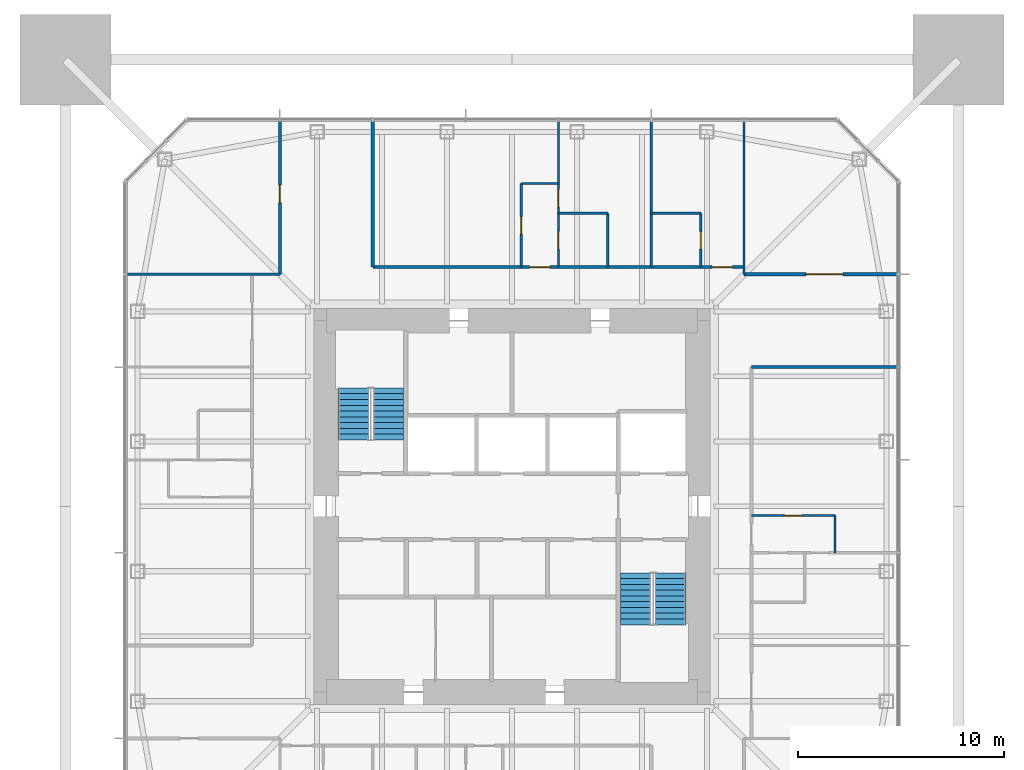
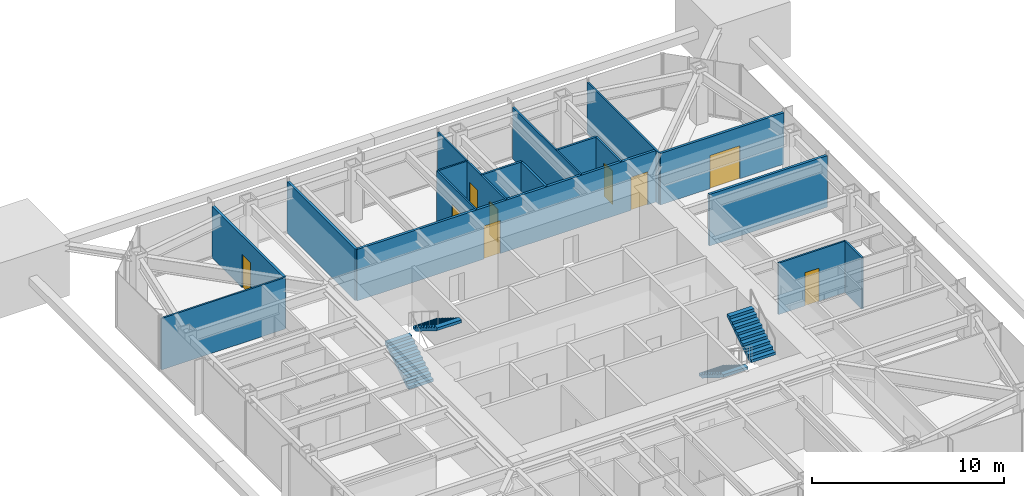
# One storey, part 10 of 13: 17 walls, 9 doors, 4 stair flights, 9 openings, 2 elements without a shape of their own.
"""IFC4 building model written with IfcOpenShell, lengths in metres."""

from ifc_helpers import new_model, si_unit, direction, frame, frame_2d, origin, place, context, subcontext, project, spatial, polyline, rectangle, outline, extrude, material, layer, layer_set, constituent, constituent_set, type_object, element, fill, aggregate, save


model = new_model("IFC4")

# Units and contexts
model_context = context("Model", 3, precision=1e-05, world=origin(), true_north=direction((0.0, 1.0)))
body_context = subcontext(model_context, "Body", "Model", "MODEL_VIEW")
ifc_project = project(units=[si_unit("LENGTHUNIT", "METRE"), si_unit("AREAUNIT", "SQUARE_METRE"), si_unit("VOLUMEUNIT", "CUBIC_METRE"), si_unit("PLANEANGLEUNIT", "RADIAN"), si_unit("MASSUNIT", "GRAM", prefix="KILO")], contexts=[model_context])

# Site, building, storey
site_placement = place(None, origin())
site = spatial("IfcSite", under=ifc_project, at=site_placement, CompositionType="ELEMENT")
building_placement = place(site_placement, origin())
building = spatial("IfcBuilding", under=site, at=building_placement, Name="Iwan Alto Co-Living Towers", CompositionType="ELEMENT")
storey_placement = place(building_placement, frame((0.0, 0.0, 191.5)))
storey = spatial("IfcBuildingStorey", under=building, at=storey_placement, Name="L52", CompositionType="ELEMENT", Elevation=191.5)

# Wall
ifc_material_1 = material(Name="Gypsum board")
ifc_layer_1 = layer(ifc_material_1, 0.02490234375, Name="Board", Category="Finish")
ifc_material_2 = material(Name="Steel ASTM A1003 ST33H cold-formed studs", Category="steel")
ifc_layer_2 = layer(ifc_material_2, 0.10009765625, Name="Studs", Category="Framing")
ifc_layer_3 = layer(ifc_material_1, 0.02490234375, Name="Board", Category="Finish")
ifc_layer_set_1 = layer_set([ifc_layer_1, ifc_layer_2, ifc_layer_3], Name="CORRIDOR WALL 150")
wall_type_1 = type_object("IfcWallType", Name="CORRIDOR WALL 150", PredefinedType="PARTITIONING", material=ifc_layer_set_1)
wall_1_placement = place(storey_placement, frame((11.60009765625, 6.75, 0.0), z_axis=(0.0, 0.0, 1.0), x_axis=(1.0, 0.0, 0.0)))
element("IfcWall", 1, at=wall_1_placement, inside=storey, type_object=wall_type_1, Name="Partition L52", PredefinedType="PARTITIONING", context=body_context, shape_type="SweptSolid", body=[
    extrude(rectangle(XDim=7.08984375, YDim=0.14990234375, at=frame_2d((3.544921875, 0.0))), origin(), (0.0, 0.0, 1.0), 3.27001953125),
])

# Wall, opening, door
wall_2_placement = place(storey_placement, frame((11.25, 11.25, 0.0), z_axis=(0.0, 0.0, 1.0), x_axis=(1.0, 0.0, 0.0)))
wall_2 = element("IfcWall", 2, at=wall_2_placement, inside=storey, type_object=wall_type_1, Name="Partition L52", PredefinedType="PARTITIONING", context=body_context, shape_type="SweptSolid", body=[
    extrude(rectangle(XDim=7.43994140625, YDim=0.14990234375, at=frame_2d((3.719970703125, 0.0))), origin(), (0.0, 0.0, 1.0), 3.27001953125),
])
opening_1_placement = place(wall_2_placement, frame((2.9951171875, 0.0, 0.0)))
opening_1 = element("IfcOpeningElement", 3, at=opening_1_placement, cuts=wall_2, Name="Opening D9", PredefinedType="OPENING", context=body_context, shape_type="SweptSolid", body=[
    extrude(rectangle(XDim=1.800048828125, YDim=2.10009765625, at=frame_2d((0.89990234375, 1.050048828125))), frame((0.0, 0.0849609375, 0.0), z_axis=(0.0, -1.0, 0.0), x_axis=(1.0, 0.0, 0.0)), (0.0, 0.0, 1.0), 0.169921875),
])
ifc_material_3 = material(Name="Steel frame with timber leaf", Category="steel")
door_type_1 = type_object("IfcDoorType", Name="LOUNGE DOOR FD30S 1800X2100", OperationType="DOUBLE_DOOR_SINGLE_SWING", PredefinedType="DOOR", material=ifc_material_3)
door_1_placement = place(opening_1_placement, origin())
door_1 = element("IfcDoor", 4, at=door_1_placement, inside=storey, type_object=door_type_1, Name="Study lounge door L52", OperationType="DOUBLE_DOOR_SINGLE_SWING", OverallHeight=2.10009765625, OverallWidth=1.800048828125, PredefinedType="DOOR", context=body_context, shape_type="SweptSolid", body=[
    extrude(rectangle(XDim=1.800048828125, YDim=2.10009765625, at=frame_2d((0.89990234375, 1.050048828125))), frame((0.0, 0.02490234375, 0.0), z_axis=(0.0, -1.0, 0.0), x_axis=(1.0, 0.0, 0.0)), (0.0, 0.0, 1.0), 0.050048828125),
])
fill(opening_1, door_1)

# Wall, openings, doors
wall_3_placement = place(storey_placement, frame((-6.75, 11.60009765625, 0.0), z_axis=(0.0, 0.0, 1.0), x_axis=(1.0, 0.0, 0.0)))
wall_3 = element("IfcWall", 5, at=wall_3_placement, inside=storey, type_object=wall_type_1, Name="Partition L52", PredefinedType="PARTITIONING", context=body_context, shape_type="SweptSolid", body=[
    extrude(rectangle(XDim=18.0, YDim=0.14990234375, at=frame_2d((9.0, 0.0))), origin(), (0.0, 0.0, 1.0), 3.27001953125),
])
opening_2_placement = place(wall_3_placement, frame((16.449951171875, 0.0, 0.0)))
opening_2 = element("IfcOpeningElement", 6, at=opening_2_placement, cuts=wall_3, Name="Opening D3", PredefinedType="OPENING", context=body_context, shape_type="SweptSolid", body=[
    extrude(rectangle(XDim=1.0, YDim=2.10009765625, at=frame_2d((0.5, 1.050048828125))), frame((0.0, 0.0849609375, 0.0), z_axis=(0.0, -1.0, 0.0), x_axis=(1.0, 0.0, 0.0)), (0.0, 0.0, 1.0), 0.169921875),
])
opening_3_placement = place(wall_3_placement, frame((7.60009765625, 0.0, 0.0)))
opening_3 = element("IfcOpeningElement", 7, at=opening_3_placement, cuts=wall_3, Name="Opening D3", PredefinedType="OPENING", context=body_context, shape_type="SweptSolid", body=[
    extrude(rectangle(XDim=1.0, YDim=2.10009765625, at=frame_2d((0.5, 1.050048828125))), frame((0.0, 0.0849609375, 0.0), z_axis=(0.0, -1.0, 0.0), x_axis=(1.0, 0.0, 0.0)), (0.0, 0.0, 1.0), 0.169921875),
])
ifc_material_4 = material(Name="Steel frame with timber leaf", Category="steel")
door_type_2 = type_object("IfcDoorType", Name="FLAT ENTRANCE DOOR FD30S 1000X2100", OperationType="SINGLE_SWING_LEFT", PredefinedType="DOOR", material=ifc_material_4)
door_2_placement = place(opening_2_placement, origin())
door_2 = element("IfcDoor", 8, at=door_2_placement, inside=storey, type_object=door_type_2, Name="Studio door L52", OperationType="SINGLE_SWING_LEFT", OverallHeight=2.10009765625, OverallWidth=1.0, PredefinedType="DOOR", context=body_context, shape_type="SweptSolid", body=[
    extrude(rectangle(XDim=1.0, YDim=2.10009765625, at=frame_2d((0.5, 1.050048828125))), frame((0.0, 0.02490234375, 0.0), z_axis=(0.0, -1.0, 0.0), x_axis=(1.0, 0.0, 0.0)), (0.0, 0.0, 1.0), 0.050048828125),
])
fill(opening_2, door_2)
door_3_placement = place(opening_3_placement, origin())
door_3 = element("IfcDoor", 9, at=door_3_placement, inside=storey, type_object=door_type_2, Name="Apartment foyer door L52", OperationType="SINGLE_SWING_LEFT", OverallHeight=2.10009765625, OverallWidth=1.0, PredefinedType="DOOR", context=body_context, shape_type="SweptSolid", body=[
    extrude(rectangle(XDim=1.0, YDim=2.10009765625, at=frame_2d((0.5, 1.050048828125))), frame((0.0, 0.02490234375, 0.0), z_axis=(0.0, -1.0, 0.0), x_axis=(1.0, 0.0, 0.0)), (0.0, 0.0, 1.0), 0.050048828125),
])
fill(opening_3, door_3)

# Wall
wall_4_placement = place(storey_placement, frame((-6.75, 11.60009765625, 0.0), z_axis=(0.0, 0.0, 1.0), x_axis=(0.0, 1.0, 0.0)))
element("IfcWall", 10, at=wall_4_placement, inside=storey, type_object=wall_type_1, Name="Partition L52", PredefinedType="PARTITIONING", context=body_context, shape_type="SweptSolid", body=[
    extrude(rectangle(XDim=7.08984375, YDim=0.14990234375, at=frame_2d((3.544921875, 0.0))), origin(), (0.0, 0.0, 1.0), 3.27001953125),
])

# Wall, opening, door
wall_5_placement = place(storey_placement, frame((-11.25, 11.25, 0.0), z_axis=(0.0, 0.0, 1.0), x_axis=(0.0, 1.0, 0.0)))
wall_5 = element("IfcWall", 11, at=wall_5_placement, inside=storey, type_object=wall_type_1, Name="Partition L52", PredefinedType="PARTITIONING", context=body_context, shape_type="SweptSolid", body=[
    extrude(rectangle(XDim=7.43994140625, YDim=0.14990234375, at=frame_2d((3.719970703125, 0.0))), origin(), (0.0, 0.0, 1.0), 3.27001953125),
])
opening_4_placement = place(wall_5_placement, frame((3.469970703125, 0.0, 0.0)))
opening_4 = element("IfcOpeningElement", 12, at=opening_4_placement, cuts=wall_5, Name="Opening D2", PredefinedType="OPENING", context=body_context, shape_type="SweptSolid", body=[
    extrude(rectangle(XDim=0.85009765625, YDim=2.10009765625, at=frame_2d((0.425048828125, 1.050048828125))), frame((0.0, 0.0849609375, 0.0), z_axis=(0.0, -1.0, 0.0), x_axis=(1.0, 0.0, 0.0)), (0.0, 0.0, 1.0), 0.169921875),
])
ifc_material_5 = material(Name="Timber leaf in steel frame", Category="steel")
door_type_3 = type_object("IfcDoorType", Name="ROOM DOOR 850X2100", OperationType="SINGLE_SWING_LEFT", PredefinedType="DOOR", material=ifc_material_5)
door_4_placement = place(opening_4_placement, origin())
door_4 = element("IfcDoor", 13, at=door_4_placement, inside=storey, type_object=door_type_3, Name="Shared kitchen and lounge door L52", OperationType="SINGLE_SWING_RIGHT", OverallHeight=2.10009765625, OverallWidth=0.85009765625, PredefinedType="DOOR", context=body_context, shape_type="SweptSolid", body=[
    extrude(rectangle(XDim=0.85009765625, YDim=2.10009765625, at=frame_2d((0.425048828125, 1.050048828125))), frame((0.0, 0.02490234375, 0.0), z_axis=(0.0, -1.0, 0.0), x_axis=(1.0, 0.0, 0.0)), (0.0, 0.0, 1.0), 0.050048828125),
])
fill(opening_4, door_4)

ifc_layer_4 = layer(ifc_material_1, 0.012451171875, Name="Board", Category="Finish")
ifc_layer_5 = layer(ifc_material_2, 0.074951171875, Name="Studs", Category="Framing")
ifc_layer_6 = layer(ifc_material_1, 0.012451171875, Name="Board", Category="Finish")
ifc_layer_set_2 = layer_set([ifc_layer_4, ifc_layer_5, ifc_layer_6], Name="PARTITION 100")
wall_type_2 = type_object("IfcWallType", Name="PARTITION 100", PredefinedType="PARTITIONING", material=ifc_layer_set_2)
wall_6_placement = place(storey_placement, frame((11.60009765625, -0.449951171875, 0.0), z_axis=(0.0, 0.0, 1.0), x_axis=(1.0, 0.0, 0.0)))
wall_6 = element("IfcWall", 14, at=wall_6_placement, inside=storey, type_object=wall_type_2, Name="Partition L52", PredefinedType="PARTITIONING", context=body_context, shape_type="SweptSolid", body=[
    extrude(rectangle(XDim=4.0498046875, YDim=0.10009765625, at=frame_2d((2.02490234375, 0.0))), origin(), (0.0, 0.0, 1.0), 3.27001953125),
])
opening_5_placement = place(wall_6_placement, frame((1.60009765625, 0.0, 0.0)))
opening_5 = element("IfcOpeningElement", 15, at=opening_5_placement, cuts=wall_6, Name="Opening D2", PredefinedType="OPENING", context=body_context, shape_type="SweptSolid", body=[
    extrude(rectangle(XDim=0.85009765625, YDim=2.10009765625, at=frame_2d((0.425048828125, 1.050048828125))), frame((0.0, 0.06005859375, 0.0), z_axis=(0.0, -1.0, 0.0), x_axis=(1.0, 0.0, 0.0)), (0.0, 0.0, 1.0), 0.1201171875),
])
door_5_placement = place(opening_5_placement, origin())
door_5 = element("IfcDoor", 16, at=door_5_placement, inside=storey, type_object=door_type_3, Name="Apartment foyer door L52", OperationType="SINGLE_SWING_LEFT", OverallHeight=2.10009765625, OverallWidth=0.85009765625, PredefinedType="DOOR", context=body_context, shape_type="SweptSolid", body=[
    extrude(rectangle(XDim=0.85009765625, YDim=2.10009765625, at=frame_2d((0.425048828125, 1.050048828125))), frame((0.0, 0.02490234375, 0.0), z_axis=(0.0, -1.0, 0.0), x_axis=(1.0, 0.0, 0.0)), (0.0, 0.0, 1.0), 0.050048828125),
])
fill(opening_5, door_5)

# Walls
wall_7_placement = place(storey_placement, frame((-18.68994140625, 11.25, 0.0), z_axis=(0.0, 0.0, 1.0), x_axis=(1.0, 0.0, 0.0)))
element("IfcWall", 17, at=wall_7_placement, inside=storey, type_object=wall_type_2, Name="Partition L52", PredefinedType="PARTITIONING", context=body_context, shape_type="SweptSolid", body=[
    extrude(rectangle(XDim=7.43994140625, YDim=0.10009765625, at=frame_2d((3.719970703125, 0.0))), origin(), (0.0, 0.0, 1.0), 3.27001953125),
])
for number, where, z_axis, x_axis, name in (
    (18, (0.449951171875, 15.64990234375, 0.0), (0.0, 0.0, 1.0), (1.0, 0.0, 0.0), "Partition L52"),
    (19, (15.64990234375, -2.25, 0.0), (0.0, 0.0, 1.0), (0.0, 1.0, 0.0), "Partition L52"),
):
    element("IfcWall", number, at=place(storey_placement, frame(where, z_axis=z_axis, x_axis=x_axis)), inside=storey, type_object=wall_type_2, Name=name, PredefinedType="PARTITIONING", context=body_context, shape_type="SweptSolid", body=[
        extrude(rectangle(XDim=1.800048828125, YDim=0.10009765625, at=frame_2d((0.89990234375, 0.0))), origin(), (0.0, 0.0, 1.0), 3.27001953125),
    ])
wall_8_placement = place(storey_placement, frame((11.25, 11.25, 0.0), z_axis=(0.0, 0.0, 1.0), x_axis=(0.0, 1.0, 0.0)))
element("IfcWall", 20, at=wall_8_placement, inside=storey, type_object=wall_type_2, Name="Partition L52", PredefinedType="PARTITIONING", context=body_context, shape_type="SweptSolid", body=[
    extrude(rectangle(XDim=7.43994140625, YDim=0.10009765625, at=frame_2d((3.719970703125, 0.0))), origin(), (0.0, 0.0, 1.0), 3.27001953125),
])
wall_9_placement = place(storey_placement, frame((6.75, 11.60009765625, 0.0), z_axis=(0.0, 0.0, 1.0), x_axis=(0.0, 1.0, 0.0)))
element("IfcWall", 21, at=wall_9_placement, inside=storey, type_object=wall_type_2, Name="Partition L52", PredefinedType="PARTITIONING", context=body_context, shape_type="SweptSolid", body=[
    extrude(rectangle(XDim=7.08984375, YDim=0.10009765625, at=frame_2d((3.544921875, 0.0))), origin(), (0.0, 0.0, 1.0), 3.27001953125),
])

# Wall, openings, doors
wall_10_placement = place(storey_placement, frame((2.25, 11.60009765625, 0.0), z_axis=(0.0, 0.0, 1.0), x_axis=(0.0, 1.0, 0.0)))
wall_10 = element("IfcWall", 22, at=wall_10_placement, inside=storey, type_object=wall_type_2, Name="Partition L52", PredefinedType="PARTITIONING", context=body_context, shape_type="SweptSolid", body=[
    extrude(rectangle(XDim=7.08984375, YDim=0.10009765625, at=frame_2d((3.544921875, 0.0))), origin(), (0.0, 0.0, 1.0), 3.27001953125),
])
opening_6_placement = place(wall_10_placement, frame((2.89990234375, 0.0, 0.0)))
opening_6 = element("IfcOpeningElement", 23, at=opening_6_placement, cuts=wall_10, Name="Opening D2", PredefinedType="OPENING", context=body_context, shape_type="SweptSolid", body=[
    extrude(rectangle(XDim=0.85009765625, YDim=2.10009765625, at=frame_2d((0.425048828125, 1.050048828125))), frame((0.0, 0.06005859375, 0.0), z_axis=(0.0, -1.0, 0.0), x_axis=(1.0, 0.0, 0.0)), (0.0, 0.0, 1.0), 0.1201171875),
])
opening_7_placement = place(wall_10_placement, frame((0.875, 0.0, 0.0)))
opening_7 = element("IfcOpeningElement", 24, at=opening_7_placement, cuts=wall_10, Name="Opening D2", PredefinedType="OPENING", context=body_context, shape_type="SweptSolid", body=[
    extrude(rectangle(XDim=0.85009765625, YDim=2.10009765625, at=frame_2d((0.425048828125, 1.050048828125))), frame((0.0, 0.06005859375, 0.0), z_axis=(0.0, -1.0, 0.0), x_axis=(1.0, 0.0, 0.0)), (0.0, 0.0, 1.0), 0.1201171875),
])
door_6_placement = place(opening_6_placement, frame((0.85009765625, 0.0, 0.0), z_axis=(0.0, 0.0, 1.0), x_axis=(-1.0, 0.0, 0.0)))
door_6 = element("IfcDoor", 25, at=door_6_placement, inside=storey, type_object=door_type_3, Name="Bedroom door L52", OperationType="SINGLE_SWING_RIGHT", OverallHeight=2.10009765625, OverallWidth=0.85009765625, PredefinedType="DOOR", context=body_context, shape_type="SweptSolid", body=[
    extrude(rectangle(XDim=0.85009765625, YDim=2.10009765625, at=frame_2d((0.425048828125, 1.050048828125))), frame((0.0, 0.02490234375, 0.0), z_axis=(0.0, -1.0, 0.0), x_axis=(1.0, 0.0, 0.0)), (0.0, 0.0, 1.0), 0.050048828125),
])
fill(opening_6, door_6)
door_7_placement = place(opening_7_placement, frame((0.85009765625, 0.0, 0.0), z_axis=(0.0, 0.0, 1.0), x_axis=(-1.0, 0.0, 0.0)))
door_7 = element("IfcDoor", 26, at=door_7_placement, inside=storey, type_object=door_type_3, Name="Bathroom door L52", OperationType="SINGLE_SWING_RIGHT", OverallHeight=2.10009765625, OverallWidth=0.85009765625, PredefinedType="DOOR", context=body_context, shape_type="SweptSolid", body=[
    extrude(rectangle(XDim=0.85009765625, YDim=2.10009765625, at=frame_2d((0.425048828125, 1.050048828125))), frame((0.0, 0.02490234375, 0.0), z_axis=(0.0, -1.0, 0.0), x_axis=(1.0, 0.0, 0.0)), (0.0, 0.0, 1.0), 0.050048828125),
])
fill(opening_7, door_7)

# Wall, opening, door
wall_11_placement = place(storey_placement, frame((0.449951171875, 11.60009765625, 0.0), z_axis=(0.0, 0.0, 1.0), x_axis=(0.0, 1.0, 0.0)))
wall_11 = element("IfcWall", 27, at=wall_11_placement, inside=storey, type_object=wall_type_2, Name="Partition L52", PredefinedType="PARTITIONING", context=body_context, shape_type="SweptSolid", body=[
    extrude(rectangle(XDim=4.0498046875, YDim=0.10009765625, at=frame_2d((2.02490234375, 0.0))), origin(), (0.0, 0.0, 1.0), 3.27001953125),
])
opening_8_placement = place(wall_11_placement, frame((1.60009765625, 0.0, 0.0)))
opening_8 = element("IfcOpeningElement", 28, at=opening_8_placement, cuts=wall_11, Name="Opening D2", PredefinedType="OPENING", context=body_context, shape_type="SweptSolid", body=[
    extrude(rectangle(XDim=0.85009765625, YDim=2.10009765625, at=frame_2d((0.425048828125, 1.050048828125))), frame((0.0, 0.06005859375, 0.0), z_axis=(0.0, -1.0, 0.0), x_axis=(1.0, 0.0, 0.0)), (0.0, 0.0, 1.0), 0.1201171875),
])
door_8_placement = place(opening_8_placement, origin())
door_8 = element("IfcDoor", 29, at=door_8_placement, inside=storey, type_object=door_type_3, Name="Apartment foyer door L52", OperationType="SINGLE_SWING_LEFT", OverallHeight=2.10009765625, OverallWidth=0.85009765625, PredefinedType="DOOR", context=body_context, shape_type="SweptSolid", body=[
    extrude(rectangle(XDim=0.85009765625, YDim=2.10009765625, at=frame_2d((0.425048828125, 1.050048828125))), frame((0.0, 0.02490234375, 0.0), z_axis=(0.0, -1.0, 0.0), x_axis=(1.0, 0.0, 0.0)), (0.0, 0.0, 1.0), 0.050048828125),
])
fill(opening_8, door_8)

# Walls
ifc_material_6 = material(Name="Cement board")
ifc_layer_7 = layer(ifc_material_6, 0.012451171875, Name="Board", Category="Finish")
ifc_layer_8 = layer(ifc_material_2, 0.094970703125, Name="Studs", Category="Framing")
ifc_layer_9 = layer(ifc_material_6, 0.012451171875, Name="Board", Category="Finish")
ifc_layer_set_3 = layer_set([ifc_layer_7, ifc_layer_8, ifc_layer_9], Name="WET AREA PARTITION 120")
wall_type_3 = type_object("IfcWallType", Name="WET AREA PARTITION 120", PredefinedType="PARTITIONING", material=ifc_layer_set_3)
for number, where, z_axis, x_axis, name in (
    (30, (2.25, 14.199951171875, 0.0), (0.0, 0.0, 1.0), (1.0, 0.0, 0.0), "Partition L52"),
    (31, (6.75, 14.199951171875, 0.0), (0.0, 0.0, 1.0), (1.0, 0.0, 0.0), "Partition L52"),
):
    element("IfcWall", number, at=place(storey_placement, frame(where, z_axis=z_axis, x_axis=x_axis)), inside=storey, type_object=wall_type_3, Name=name, PredefinedType="PARTITIONING", context=body_context, shape_type="SweptSolid", body=[
        extrude(rectangle(XDim=2.39990234375, YDim=0.1201171875, at=frame_2d((1.199951171875, 0.0))), origin(), (0.0, 0.0, 1.0), 3.27001953125),
    ])

# Wall, opening, door
wall_12_placement = place(storey_placement, frame((9.14990234375, 11.60009765625, 0.0), z_axis=(0.0, 0.0, 1.0), x_axis=(0.0, 1.0, 0.0)))
wall_12 = element("IfcWall", 32, at=wall_12_placement, inside=storey, type_object=wall_type_3, Name="Partition L52", PredefinedType="PARTITIONING", context=body_context, shape_type="SweptSolid", body=[
    extrude(rectangle(XDim=2.599853515625, YDim=0.1201171875, at=frame_2d((1.2998046875, 0.0))), origin(), (0.0, 0.0, 1.0), 3.27001953125),
])
opening_9_placement = place(wall_12_placement, frame((0.875, 0.0, 0.0)))
opening_9 = element("IfcOpeningElement", 33, at=opening_9_placement, cuts=wall_12, Name="Opening D2", PredefinedType="OPENING", context=body_context, shape_type="SweptSolid", body=[
    extrude(rectangle(XDim=0.85009765625, YDim=2.10009765625, at=frame_2d((0.425048828125, 1.050048828125))), frame((0.0, 0.070068359375, 0.0), z_axis=(0.0, -1.0, 0.0), x_axis=(1.0, 0.0, 0.0)), (0.0, 0.0, 1.0), 0.14013671875),
])
door_9_placement = place(opening_9_placement, frame((0.85009765625, 0.0, 0.0), z_axis=(0.0, 0.0, 1.0), x_axis=(-1.0, 0.0, 0.0)))
door_9 = element("IfcDoor", 34, at=door_9_placement, inside=storey, type_object=door_type_3, Name="En-suite shower room door L52", OperationType="SINGLE_SWING_RIGHT", OverallHeight=2.10009765625, OverallWidth=0.85009765625, PredefinedType="DOOR", context=body_context, shape_type="SweptSolid", body=[
    extrude(rectangle(XDim=0.85009765625, YDim=2.10009765625, at=frame_2d((0.425048828125, 1.050048828125))), frame((0.0, 0.02490234375, 0.0), z_axis=(0.0, -1.0, 0.0), x_axis=(1.0, 0.0, 0.0)), (0.0, 0.0, 1.0), 0.050048828125),
])
fill(opening_9, door_9)

# Wall
wall_13_placement = place(storey_placement, frame((4.64990234375, 11.60009765625, 0.0), z_axis=(0.0, 0.0, 1.0), x_axis=(0.0, 1.0, 0.0)))
element("IfcWall", 35, at=wall_13_placement, inside=storey, type_object=wall_type_3, Name="Partition L52", PredefinedType="PARTITIONING", context=body_context, shape_type="SweptSolid", body=[
    extrude(rectangle(XDim=2.599853515625, YDim=0.1201171875, at=frame_2d((1.2998046875, 0.0))), origin(), (0.0, 0.0, 1.0), 3.27001953125),
])

# Stair, stair flights
ifc_material_7 = material(Name="Steel ASTM A36", Category="steel")
ifc_constituent_1 = constituent(ifc_material_7, Name="Stringers", Category="LoadBearing")
ifc_material_8 = material(Name="Concrete f'c 30 MPa", Category="concrete")
ifc_constituent_2 = constituent(ifc_material_8, Name="Tread fill", Category="Finish")
ifc_constituent_set_1 = constituent_set(constituents=[ifc_constituent_1, ifc_constituent_2], Name="STAIR 3500 TWO-FLIGHT T1 CORE")
stair_type = type_object("IfcStairType", Name="STAIR 3500 TWO-FLIGHT T1 CORE", PredefinedType="HALF_TURN_STAIR", material=ifc_constituent_set_1)
stair_1_placement = place(storey_placement, origin())
stair_1 = element("IfcStair", 36, at=stair_1_placement, inside=storey, type_object=stair_type, Name="Stair T1-S1 L52 to L53", PredefinedType="HALF_TURN_STAIR")
ifc_constituent_3 = constituent(ifc_material_7, Name="Stringers", Category="LoadBearing")
ifc_constituent_4 = constituent(ifc_material_8, Name="Tread fill", Category="Finish")
ifc_constituent_set_2 = constituent_set(constituents=[ifc_constituent_3, ifc_constituent_4], Name="STAIR FLIGHT 10 RISERS 280 GOING")
stair_flight_type = type_object("IfcStairFlightType", Name="STAIR FLIGHT 10 RISERS 280 GOING", PredefinedType="STRAIGHT", material=ifc_constituent_set_2)
stair_flight_1_placement = place(storey_placement, frame((-7.68994140625, 3.219970703125, 0.0), z_axis=(0.0, 0.0, 1.0), x_axis=(0.0, 1.0, 0.0)))
stair_flight_1 = element("IfcStairFlight", 37, at=stair_flight_1_placement, type_object=stair_flight_type, Name="T1-S1 flight 1", NumberOfRisers=10, NumberOfTreads=9, PredefinedType="STRAIGHT", RiserHeight=0.175, TreadLength=0.28, context=body_context, shape_type="SweptSolid", body=[
    extrude(outline(polyline([(0.0, 0.0), (0.0, 0.175048828125), (0.280029296875, 0.175048828125), (0.280029296875, 0.35009765625), (0.56005859375, 0.35009765625), (0.56005859375, 0.52490234375), (0.840087890625, 0.52490234375), (0.840087890625, 0.699951171875), (1.1201171875, 0.699951171875), (1.1201171875, 0.875), (1.39990234375, 0.875), (1.39990234375, 1.050048828125), (1.679931640625, 1.050048828125), (1.679931640625, 1.22509765625), (1.9599609375, 1.22509765625), (1.9599609375, 1.39990234375), (2.239990234375, 1.39990234375), (2.239990234375, 1.574951171875), (2.52001953125, 1.574951171875), (2.52001953125, 1.75), (2.52001953125, 1.398193359375), (0.28271484375, 0.0), (0.0, 0.0)])), frame((0.0, 0.739990234375, 0.0), z_axis=(0.0, -1.0, 0.0), x_axis=(1.0, 0.0, 0.0)), (0.0, 0.0, 1.0), 1.47998046875),
])
stair_flight_2_placement = place(storey_placement, frame((-6.010009765625, 5.739990234375, 1.75), z_axis=(0.0, 0.0, 1.0), x_axis=(0.0, -1.0, 0.0)))
stair_flight_2 = element("IfcStairFlight", 38, at=stair_flight_2_placement, type_object=stair_flight_type, Name="T1-S1 flight 2", NumberOfRisers=10, NumberOfTreads=9, PredefinedType="STRAIGHT", RiserHeight=0.175, TreadLength=0.28, context=body_context, shape_type="SweptSolid", body=[
    extrude(outline(polyline([(0.0, 0.0), (0.0, 0.175048828125), (0.280029296875, 0.175048828125), (0.280029296875, 0.35009765625), (0.56005859375, 0.35009765625), (0.56005859375, 0.52490234375), (0.840087890625, 0.52490234375), (0.840087890625, 0.699951171875), (1.1201171875, 0.699951171875), (1.1201171875, 0.875), (1.39990234375, 0.875), (1.39990234375, 1.050048828125), (1.679931640625, 1.050048828125), (1.679931640625, 1.22509765625), (1.9599609375, 1.22509765625), (1.9599609375, 1.39990234375), (2.239990234375, 1.39990234375), (2.239990234375, 1.574951171875), (2.52001953125, 1.574951171875), (2.52001953125, 1.75), (2.52001953125, 1.398193359375), (0.28271484375, 0.0), (0.0, 0.0)])), frame((0.0, 0.739990234375, 0.0), z_axis=(0.0, -1.0, 0.0), x_axis=(1.0, 0.0, 0.0)), (0.0, 0.0, 1.0), 1.47998046875),
])
aggregate(stair_1, [stair_flight_1, stair_flight_2])

stair_2_placement = place(storey_placement, origin())
stair_2 = element("IfcStair", 39, at=stair_2_placement, inside=storey, type_object=stair_type, Name="Stair T1-S2 L52 to L53", PredefinedType="HALF_TURN_STAIR")
stair_flight_3_placement = place(storey_placement, frame((6.010009765625, -3.219970703125, 0.0), z_axis=(0.0, 0.0, 1.0), x_axis=(0.0, -1.0, 0.0)))
stair_flight_3 = element("IfcStairFlight", 40, at=stair_flight_3_placement, type_object=stair_flight_type, Name="T1-S2 flight 1", NumberOfRisers=10, NumberOfTreads=9, PredefinedType="STRAIGHT", RiserHeight=0.175, TreadLength=0.28, context=body_context, shape_type="SweptSolid", body=[
    extrude(outline(polyline([(0.0, 0.0), (0.0, 0.175048828125), (0.280029296875, 0.175048828125), (0.280029296875, 0.35009765625), (0.56005859375, 0.35009765625), (0.56005859375, 0.52490234375), (0.840087890625, 0.52490234375), (0.840087890625, 0.699951171875), (1.1201171875, 0.699951171875), (1.1201171875, 0.875), (1.39990234375, 0.875), (1.39990234375, 1.050048828125), (1.679931640625, 1.050048828125), (1.679931640625, 1.22509765625), (1.9599609375, 1.22509765625), (1.9599609375, 1.39990234375), (2.239990234375, 1.39990234375), (2.239990234375, 1.574951171875), (2.52001953125, 1.574951171875), (2.52001953125, 1.75), (2.52001953125, 1.398193359375), (0.28271484375, 0.0), (0.0, 0.0)])), frame((0.0, 0.739990234375, 0.0), z_axis=(0.0, -1.0, 0.0), x_axis=(1.0, 0.0, 0.0)), (0.0, 0.0, 1.0), 1.47998046875),
])
stair_flight_4_placement = place(storey_placement, frame((7.68994140625, -5.739990234375, 1.75), z_axis=(0.0, 0.0, 1.0), x_axis=(0.0, 1.0, 0.0)))
stair_flight_4 = element("IfcStairFlight", 41, at=stair_flight_4_placement, type_object=stair_flight_type, Name="T1-S2 flight 2", NumberOfRisers=10, NumberOfTreads=9, PredefinedType="STRAIGHT", RiserHeight=0.175, TreadLength=0.28, context=body_context, shape_type="SweptSolid", body=[
    extrude(outline(polyline([(0.0, 0.0), (0.0, 0.175048828125), (0.280029296875, 0.175048828125), (0.280029296875, 0.35009765625), (0.56005859375, 0.35009765625), (0.56005859375, 0.52490234375), (0.840087890625, 0.52490234375), (0.840087890625, 0.699951171875), (1.1201171875, 0.699951171875), (1.1201171875, 0.875), (1.39990234375, 0.875), (1.39990234375, 1.050048828125), (1.679931640625, 1.050048828125), (1.679931640625, 1.22509765625), (1.9599609375, 1.22509765625), (1.9599609375, 1.39990234375), (2.239990234375, 1.39990234375), (2.239990234375, 1.574951171875), (2.52001953125, 1.574951171875), (2.52001953125, 1.75), (2.52001953125, 1.398193359375), (0.28271484375, 0.0), (0.0, 0.0)])), frame((0.0, 0.739990234375, 0.0), z_axis=(0.0, -1.0, 0.0), x_axis=(1.0, 0.0, 0.0)), (0.0, 0.0, 1.0), 1.47998046875),
])
aggregate(stair_2, [stair_flight_3, stair_flight_4])

save(model, "model.ifc")
